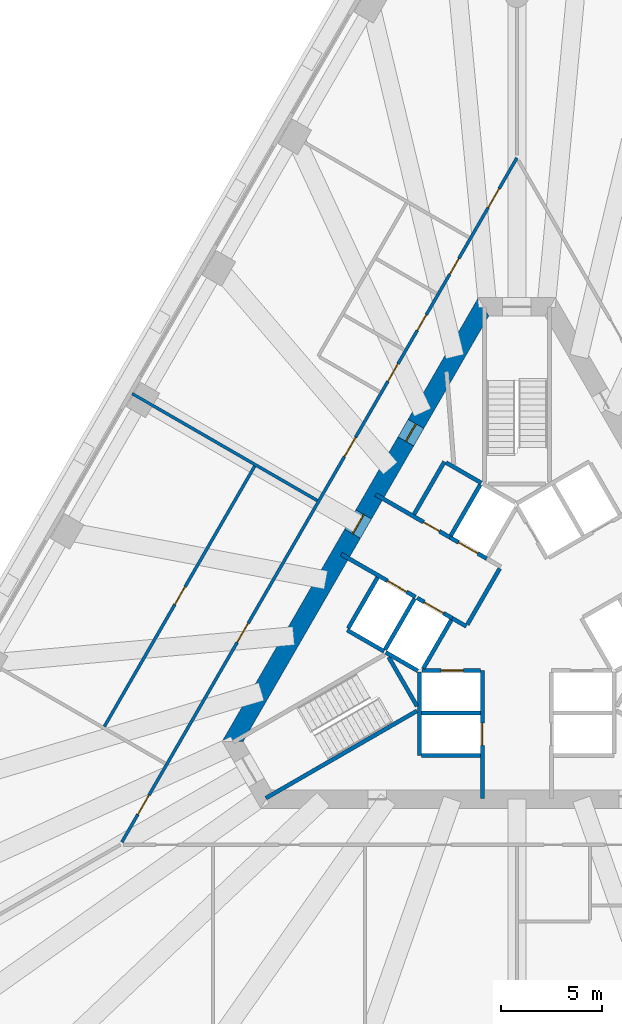
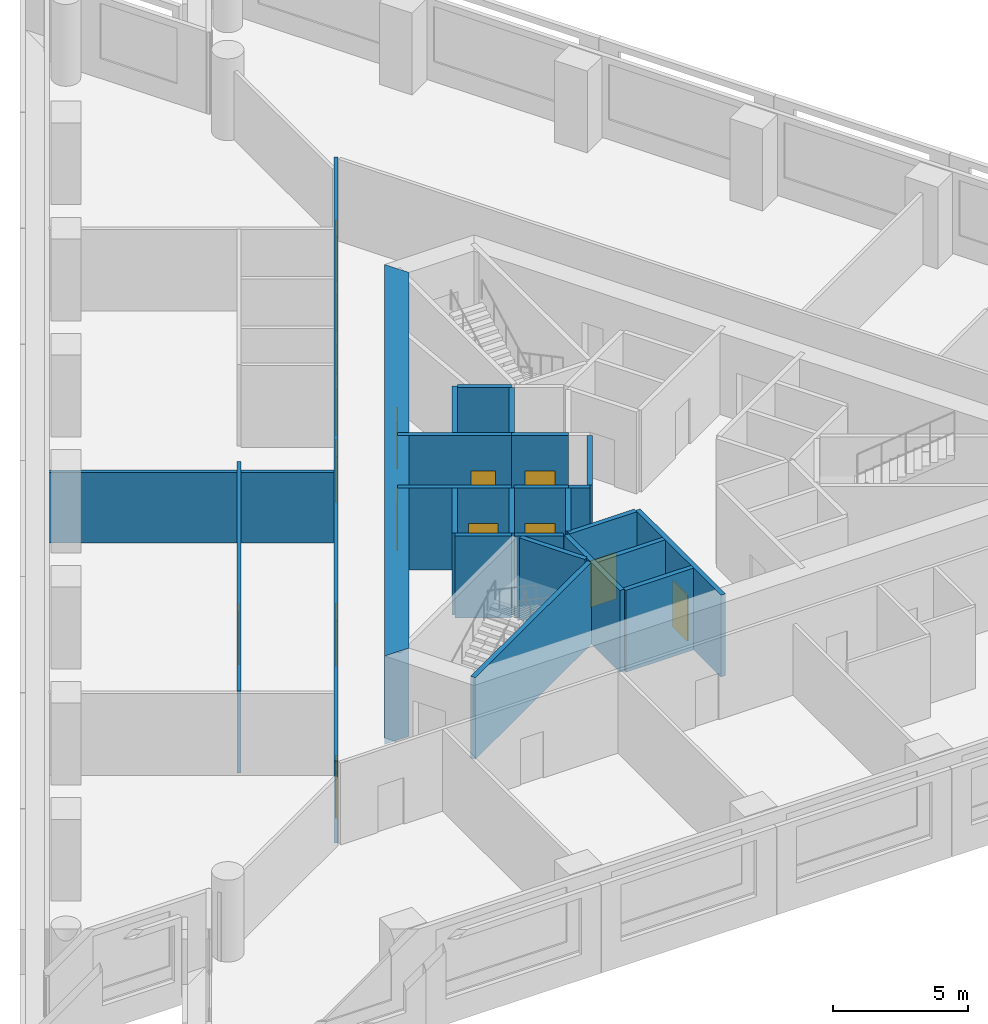
# One storey, part 3 of 9: 25 walls, 16 doors, 16 openings.
"""IFC4 building model written with IfcOpenShell, lengths in metres."""

from ifc_helpers import new_model, si_unit, direction, frame, frame_2d, origin, place, context, subcontext, project, spatial, polyline, rectangle, outline, extrude, material, layer, layer_set, type_object, element, fill, save


model = new_model("IFC4")

# Units and contexts
model_context = context("Model", 3, precision=1e-05, world=origin(), true_north=direction((0.0, 1.0)))
body_context = subcontext(model_context, "Body", "Model", "MODEL_VIEW")
ifc_project = project(units=[si_unit("LENGTHUNIT", "METRE"), si_unit("AREAUNIT", "SQUARE_METRE"), si_unit("VOLUMEUNIT", "CUBIC_METRE"), si_unit("PLANEANGLEUNIT", "RADIAN"), si_unit("MASSUNIT", "GRAM", prefix="KILO")], contexts=[model_context])

# Site, building, storey
site_placement = place(None, origin())
site = spatial("IfcSite", under=ifc_project, at=site_placement, CompositionType="ELEMENT")
building_placement = place(site_placement, origin())
building = spatial("IfcBuilding", under=site, at=building_placement, Name="Triada Interchange Tower", CompositionType="ELEMENT")
storey_placement = place(building_placement, frame((0.0, 0.0, 55.300048828125)))
storey = spatial("IfcBuildingStorey", under=building, at=storey_placement, Name="L11", CompositionType="ELEMENT", Elevation=55.300048828125)

# Walls
ifc_material_1 = material(Name="Concrete C30/37", Category="concrete")
ifc_layer_1 = layer(ifc_material_1, 0.199951171875)
ifc_layer_set_1 = layer_set([ifc_layer_1], Name="CORE WALL 200 EI 120")
wall_type_1 = type_object("IfcWallType", Name="CORE WALL 200 EI 120", PredefinedType="SOLIDWALL", material=ifc_layer_set_1)
wall_1_placement = place(storey_placement, frame((-8.3759765625, -0.70703125, 0.0), z_axis=(0.0, 0.0, 1.0), x_axis=(0.866067520717, -0.499927044236, 0.0)))
element("IfcWall", 1, at=wall_1_placement, inside=storey, type_object=wall_type_1, Name="Wall L09 37", PredefinedType="SOLIDWALL", context=body_context, shape_type="SweptSolid", body=[
    extrude(rectangle(XDim=2.100341796875, YDim=0.199951171875, at=frame_2d((1.05029296875, 0.0))), origin(), (0.0, 0.0, 1.0), 3.699951171875),
])
wall_2_placement = place(storey_placement, frame((-8.325927734375, -0.6201171875, 0.0), z_axis=(0.0, 0.0, 1.0), x_axis=(0.500023687443, 0.866011727401, 0.0)))
element("IfcWall", 2, at=wall_2_placement, inside=storey, type_object=wall_type_1, Name="Wall L09 38", PredefinedType="SOLIDWALL", context=body_context, shape_type="SweptSolid", body=[
    extrude(rectangle(XDim=2.899658203125, YDim=0.199951171875, at=frame_2d((1.44970703125, 0.0))), origin(), (0.0, 0.0, 1.0), 3.699951171875),
])
wall_3_placement = place(storey_placement, frame((-4.699951171875, -4.800048828125, 0.0), z_axis=(0.0, 0.0, 1.0), x_axis=(1.0, 0.0, 0.0)))
element("IfcWall", 3, at=wall_3_placement, inside=storey, type_object=wall_type_1, Name="Wall L09 39", PredefinedType="SOLIDWALL", context=body_context, shape_type="SweptSolid", body=[
    extrude(rectangle(XDim=2.89990234375, YDim=0.199951171875, at=frame_2d((1.449951171875, 0.0))), origin(), (0.0, 0.0, 1.0), 3.699951171875),
])
wall_4_placement = place(storey_placement, frame((-4.800048828125, -6.89990234375, 0.0), z_axis=(0.0, 0.0, 1.0), x_axis=(0.0, 1.0, 0.0)))
element("IfcWall", 4, at=wall_4_placement, inside=storey, type_object=wall_type_1, Name="Wall L09 41", PredefinedType="SOLIDWALL", context=body_context, shape_type="SweptSolid", body=[
    extrude(rectangle(XDim=4.130859375, YDim=0.199951171875, at=frame_2d((2.0654296875, 0.0))), origin(), (0.0, 0.0, 1.0), 3.699951171875),
])
wall_5_placement = place(storey_placement, frame((-4.699951171875, -6.89990234375, 0.0), z_axis=(0.0, 0.0, 1.0), x_axis=(1.0, 0.0, 0.0)))
element("IfcWall", 5, at=wall_5_placement, inside=storey, type_object=wall_type_1, Name="Wall L09 42", PredefinedType="SOLIDWALL", context=body_context, shape_type="SweptSolid", body=[
    extrude(rectangle(XDim=2.89990234375, YDim=0.199951171875, at=frame_2d((1.449951171875, 0.0))), origin(), (0.0, 0.0, 1.0), 3.699951171875),
])

# Wall, opening, door
wall_6_placement = place(storey_placement, frame((-1.699951171875, -9.030029296875, 0.0), z_axis=(0.0, 0.0, 1.0), x_axis=(0.0, 1.0, 0.0)))
wall_6 = element("IfcWall", 6, at=wall_6_placement, inside=storey, type_object=wall_type_1, Name="Wall L09 44", PredefinedType="SOLIDWALL", context=body_context, shape_type="SweptSolid", body=[
    extrude(rectangle(XDim=6.3271484375, YDim=0.199951171875, at=frame_2d((3.16357421875, 0.0))), origin(), (0.0, 0.0, 1.0), 3.699951171875),
])
opening_1_placement = place(wall_6_placement, frame((2.6298828125, 0.0, 0.0)))
opening_1 = element("IfcOpeningElement", 7, at=opening_1_placement, cuts=wall_6, Name="Opening LD-LR4", PredefinedType="OPENING", context=body_context, shape_type="SweptSolid", body=[
    extrude(rectangle(XDim=1.10009765625, YDim=2.10009765625, at=frame_2d((0.550048828125, 1.050048828125))), frame((0.0, 0.10986328125, 0.0), z_axis=(0.0, -1.0, 0.0), x_axis=(1.0, 0.0, 0.0)), (0.0, 0.0, 1.0), 0.219970703125),
])
ifc_material_2 = material(Name="Steel S235 door leaf", Category="steel")
door_type_1 = type_object("IfcDoorType", Name="LIFT LANDING DOOR 1100 EI 120", OperationType="SLIDING_TO_LEFT", PredefinedType="DOOR", material=ifc_material_2)
door_1_placement = place(opening_1_placement, origin())
door_1 = element("IfcDoor", 8, at=door_1_placement, inside=storey, type_object=door_type_1, Name="LR4 landing door L11", OperationType="SLIDING_TO_LEFT", OverallHeight=2.10009765625, OverallWidth=1.10009765625, PredefinedType="DOOR", context=body_context, shape_type="SweptSolid", body=[
    extrude(rectangle(XDim=1.10009765625, YDim=2.10009765625, at=frame_2d((0.550048828125, 1.050048828125))), frame((0.0, 0.02490234375, 0.0), z_axis=(0.0, -1.0, 0.0), x_axis=(1.0, 0.0, 0.0)), (0.0, 0.0, 1.0), 0.050048828125),
])
fill(opening_1, door_1)

wall_7_placement = place(storey_placement, frame((-4.676025390625, -2.699951171875, 0.0), z_axis=(0.0, 0.0, 1.0), x_axis=(1.0, 0.0, 0.0)))
wall_7 = element("IfcWall", 9, at=wall_7_placement, inside=storey, type_object=wall_type_1, Name="Wall L09 45", PredefinedType="SOLIDWALL", context=body_context, shape_type="SweptSolid", body=[
    extrude(rectangle(XDim=2.873046875, YDim=0.199951171875, at=frame_2d((1.4365234375, 0.0))), origin(), (0.0, 0.0, 1.0), 3.699951171875),
])
opening_2_placement = place(wall_7_placement, frame((0.93701171875, 0.0, 0.0)))
opening_2 = element("IfcOpeningElement", 10, at=opening_2_placement, cuts=wall_7, Name="Opening LD-LR3", PredefinedType="OPENING", context=body_context, shape_type="SweptSolid", body=[
    extrude(rectangle(XDim=1.10009765625, YDim=2.10009765625, at=frame_2d((0.550048828125, 1.050048828125))), frame((0.0, 0.10986328125, 0.0), z_axis=(0.0, -1.0, 0.0), x_axis=(1.0, 0.0, 0.0)), (0.0, 0.0, 1.0), 0.219970703125),
])
door_2_placement = place(opening_2_placement, origin())
door_2 = element("IfcDoor", 11, at=door_2_placement, inside=storey, type_object=door_type_1, Name="LR3 landing door L11", OperationType="SLIDING_TO_LEFT", OverallHeight=2.10009765625, OverallWidth=1.10009765625, PredefinedType="DOOR", context=body_context, shape_type="SweptSolid", body=[
    extrude(rectangle(XDim=1.10009765625, YDim=2.10009765625, at=frame_2d((0.550048828125, 1.050048828125))), frame((0.0, 0.02490234375, 0.0), z_axis=(0.0, -1.0, 0.0), x_axis=(1.0, 0.0, 0.0)), (0.0, 0.0, 1.0), 0.050048828125),
])
fill(opening_2, door_2)

ifc_layer_2 = layer(ifc_material_1, 0.199951171875)
ifc_layer_set_2 = layer_set([ifc_layer_2], Name="CORE WALL 200 EI 180")
wall_type_2 = type_object("IfcWallType", Name="CORE WALL 200 EI 180", PredefinedType="SOLIDWALL", material=ifc_layer_set_2)
wall_8_placement = place(storey_placement, frame((-8.669921875, 3.04296875, 0.0), z_axis=(0.0, 0.0, 1.0), x_axis=(0.866029956157, -0.499992114976, 0.0)))
wall_8 = element("IfcWall", 12, at=wall_8_placement, inside=storey, type_object=wall_type_2, Name="Wall L09 59", PredefinedType="SOLIDWALL", context=body_context, shape_type="SweptSolid", body=[
    extrude(rectangle(XDim=4.23193359375, YDim=0.199951171875, at=frame_2d((2.115966796875, 0.0))), origin(), (0.0, 0.0, 1.0), 3.699951171875),
])
opening_3_placement = place(wall_8_placement, frame((2.6298828125, 0.0, 0.0)))
opening_3 = element("IfcOpeningElement", 13, at=opening_3_placement, cuts=wall_8, Name="Opening LD-SV1", PredefinedType="OPENING", context=body_context, shape_type="SweptSolid", body=[
    extrude(rectangle(XDim=1.10009765625, YDim=2.10009765625, at=frame_2d((0.550048828125, 1.050048828125))), frame((0.0, 0.10986328125, 0.0), z_axis=(0.0, -1.0, 0.0), x_axis=(1.0, 0.0, 0.0)), (0.0, 0.0, 1.0), 0.219970703125),
])
door_3_placement = place(opening_3_placement, origin())
door_3 = element("IfcDoor", 14, at=door_3_placement, inside=storey, type_object=door_type_1, Name="SV1 landing door L11", OperationType="SLIDING_TO_LEFT", OverallHeight=2.10009765625, OverallWidth=1.10009765625, PredefinedType="DOOR", context=body_context, shape_type="SweptSolid", body=[
    extrude(rectangle(XDim=1.10009765625, YDim=2.10009765625, at=frame_2d((0.550048828125, 1.050048828125))), frame((0.0, 0.02490234375, 0.0), z_axis=(0.0, -1.0, 0.0), x_axis=(1.0, 0.0, 0.0)), (0.0, 0.0, 1.0), 0.050048828125),
])
fill(opening_3, door_3)

# Wall
wall_9_placement = place(storey_placement, frame((-3.18798828125, -0.1220703125, 0.0), z_axis=(0.0, 0.0, 1.0), x_axis=(0.865705793592, -0.50055317294, 0.0)))
element("IfcWall", 15, at=wall_9_placement, inside=storey, type_object=wall_type_2, Name="Wall L09 60", PredefinedType="SOLIDWALL", context=body_context, shape_type="SweptSolid", body=[
    extrude(rectangle(XDim=0.796875, YDim=0.199951171875, at=frame_2d((0.3984375, 0.0))), origin(), (0.0, 0.0, 1.0), 3.699951171875),
])

# Wall, opening, door
wall_10_placement = place(storey_placement, frame((-6.969970703125, 5.987060546875, 0.0), z_axis=(0.0, 0.0, 1.0), x_axis=(0.866029956157, -0.499992114976, 0.0)))
wall_10 = element("IfcWall", 16, at=wall_10_placement, inside=storey, type_object=wall_type_2, Name="Wall L09 61", PredefinedType="SOLIDWALL", context=body_context, shape_type="SweptSolid", body=[
    extrude(rectangle(XDim=4.23193359375, YDim=0.199951171875, at=frame_2d((2.115966796875, 0.0))), origin(), (0.0, 0.0, 1.0), 3.699951171875),
])
opening_4_placement = place(wall_10_placement, frame((2.72998046875, 0.0, 0.0)))
opening_4 = element("IfcOpeningElement", 17, at=opening_4_placement, cuts=wall_10, Name="Opening D09-10", PredefinedType="OPENING", context=body_context, shape_type="SweptSolid", body=[
    extrude(rectangle(XDim=0.89990234375, YDim=2.10009765625, at=frame_2d((0.449951171875, 1.050048828125))), frame((0.0, 0.10986328125, 0.0), z_axis=(0.0, -1.0, 0.0), x_axis=(1.0, 0.0, 0.0)), (0.0, 0.0, 1.0), 0.219970703125),
])
door_type_2 = type_object("IfcDoorType", Name="SERVICE DOOR 900 EI2 90-C5S200", OperationType="NOTDEFINED", PredefinedType="DOOR", material=ifc_material_2)
door_4_placement = place(opening_4_placement, origin())
door_4 = element("IfcDoor", 18, at=door_4_placement, inside=storey, type_object=door_type_2, Name="Door D09-10 L11", OperationType="SINGLE_SWING_LEFT", OverallHeight=2.10009765625, OverallWidth=0.89990234375, PredefinedType="DOOR", context=body_context, shape_type="SweptSolid", body=[
    extrude(rectangle(XDim=0.89990234375, YDim=2.10009765625, at=frame_2d((0.449951171875, 1.050048828125))), frame((0.0, 0.02490234375, 0.0), z_axis=(0.0, -1.0, 0.0), x_axis=(1.0, 0.0, 0.0)), (0.0, 0.0, 1.0), 0.050048828125),
])
fill(opening_4, door_4)

# Walls
wall_11_placement = place(storey_placement, frame((-5.075927734375, 5.009033203125, 0.0), z_axis=(0.0, 0.0, 1.0), x_axis=(0.50002537861, 0.866010750942, 0.0)))
element("IfcWall", 19, at=wall_11_placement, inside=storey, type_object=wall_type_2, Name="Wall L09 63", PredefinedType="SOLIDWALL", context=body_context, shape_type="SweptSolid", body=[
    extrude(rectangle(XDim=2.999755859375, YDim=0.199951171875, at=frame_2d((1.5, 0.0))), origin(), (0.0, 0.0, 1.0), 3.699951171875),
])
wall_12_placement = place(storey_placement, frame((-3.489013671875, 7.556884765625, 0.0), z_axis=(0.0, 0.0, 1.0), x_axis=(0.866010750942, -0.50002537861, 0.0)))
element("IfcWall", 20, at=wall_12_placement, inside=storey, type_object=wall_type_2, Name="Wall L09 64", PredefinedType="SOLIDWALL", context=body_context, shape_type="SweptSolid", body=[
    extrude(rectangle(XDim=2.0, YDim=0.199951171875, at=frame_2d((1.0, 0.0))), origin(), (0.0, 0.0, 1.0), 3.699951171875),
])
wall_13_placement = place(storey_placement, frame((-2.444091796875, -0.43310546875, 0.0), z_axis=(0.0, 0.0, 1.0), x_axis=(0.500035624827, 0.866004834804, 0.0)))
element("IfcWall", 21, at=wall_13_placement, inside=storey, type_object=wall_type_2, Name="Wall L09 65", PredefinedType="SOLIDWALL", context=body_context, shape_type="SweptSolid", body=[
    extrude(rectangle(XDim=3.194091796875, YDim=0.199951171875, at=frame_2d((1.59716796875, 0.0))), origin(), (0.0, 0.0, 1.0), 3.699951171875),
])
wall_14_placement = place(storey_placement, frame((-6.507080078125, -1.669921875, 0.0), z_axis=(0.0, 0.0, 1.0), x_axis=(0.50012328804, 0.865954211699, 0.0)))
element("IfcWall", 22, at=wall_14_placement, inside=storey, type_object=wall_type_2, Name="Shaft wall FF1 L09 66", PredefinedType="SOLIDWALL", context=body_context, shape_type="SweptSolid", body=[
    extrude(rectangle(XDim=2.899658203125, YDim=0.199951171875, at=frame_2d((1.44970703125, 0.0))), origin(), (0.0, 0.0, 1.0), 3.699951171875),
])
wall_15_placement = place(storey_placement, frame((-6.469970703125, -1.806884765625, 0.0), z_axis=(0.0, 0.0, 1.0), x_axis=(0.865883195159, -0.500246231712, 0.0)))
element("IfcWall", 23, at=wall_15_placement, inside=storey, type_object=wall_type_2, Name="Shaft wall FF1 L09 67", PredefinedType="SOLIDWALL", context=body_context, shape_type="SweptSolid", body=[
    extrude(rectangle(XDim=1.8154296875, YDim=0.199951171875, at=frame_2d((0.90771484375, 0.0))), origin(), (0.0, 0.0, 1.0), 3.699951171875),
])

# Wall, opening, door
wall_16_placement = place(storey_placement, frame((-4.922119140625, 0.87890625, 0.0), z_axis=(0.0, 0.0, 1.0), x_axis=(0.866073918653, -0.499915960366, 0.0)))
wall_16 = element("IfcWall", 24, at=wall_16_placement, inside=storey, type_object=wall_type_2, Name="Shaft wall FF1 L09 68", PredefinedType="SOLIDWALL", context=body_context, shape_type="SweptSolid", body=[
    extrude(rectangle(XDim=2.002197265625, YDim=0.199951171875, at=frame_2d((1.0009765625, 0.0))), origin(), (0.0, 0.0, 1.0), 3.699951171875),
])
opening_5_placement = place(wall_16_placement, frame((0.402099609375, 0.0, 0.0)))
opening_5 = element("IfcOpeningElement", 25, at=opening_5_placement, cuts=wall_16, Name="Opening LD-FF1", PredefinedType="OPENING", context=body_context, shape_type="SweptSolid", body=[
    extrude(rectangle(XDim=1.10009765625, YDim=2.10009765625, at=frame_2d((0.550048828125, 1.050048828125))), frame((0.0, 0.10986328125, 0.0), z_axis=(0.0, -1.0, 0.0), x_axis=(1.0, 0.0, 0.0)), (0.0, 0.0, 1.0), 0.219970703125),
])
door_5_placement = place(opening_5_placement, origin())
door_5 = element("IfcDoor", 26, at=door_5_placement, inside=storey, type_object=door_type_1, Name="FF1 landing door L11", OperationType="SLIDING_TO_LEFT", OverallHeight=2.10009765625, OverallWidth=1.10009765625, PredefinedType="DOOR", context=body_context, shape_type="SweptSolid", body=[
    extrude(rectangle(XDim=1.10009765625, YDim=2.10009765625, at=frame_2d((0.550048828125, 1.050048828125))), frame((0.0, 0.02490234375, 0.0), z_axis=(0.0, -1.0, 0.0), x_axis=(1.0, 0.0, 0.0)), (0.0, 0.0, 1.0), 0.050048828125),
])
fill(opening_5, door_5)

# Wall
wall_17_placement = place(storey_placement, frame((-4.618896484375, -2.60009765625, 0.0), z_axis=(0.0, 0.0, 1.0), x_axis=(0.50009492287, 0.865970593103, 0.0)))
element("IfcWall", 27, at=wall_17_placement, inside=storey, type_object=wall_type_2, Name="Shaft wall FF1 L09 69", PredefinedType="SOLIDWALL", context=body_context, shape_type="SweptSolid", body=[
    extrude(rectangle(XDim=2.76123046875, YDim=0.199951171875, at=frame_2d((1.380615234375, 0.0))), origin(), (0.0, 0.0, 1.0), 3.699951171875),
])

# Wall, opening, door
wall_18_placement = place(storey_placement, frame((-3.30908203125, 3.873046875, 0.0), z_axis=(0.0, 0.0, 1.0), x_axis=(0.866098583652, -0.499873227325, 0.0)))
wall_18 = element("IfcWall", 28, at=wall_18_placement, inside=storey, type_object=wall_type_2, Name="Shaft wall FF2 L09 70", PredefinedType="SOLIDWALL", context=body_context, shape_type="SweptSolid", body=[
    extrude(rectangle(XDim=2.1025390625, YDim=0.199951171875, at=frame_2d((1.05126953125, 0.0))), origin(), (0.0, 0.0, 1.0), 3.699951171875),
])
opening_6_placement = place(wall_18_placement, frame((0.501953125, 0.0, 0.0)))
opening_6 = element("IfcOpeningElement", 29, at=opening_6_placement, cuts=wall_18, Name="Opening LD-FF2", PredefinedType="OPENING", context=body_context, shape_type="SweptSolid", body=[
    extrude(rectangle(XDim=1.10009765625, YDim=2.10009765625, at=frame_2d((0.550048828125, 1.050048828125))), frame((0.0, 0.10986328125, 0.0), z_axis=(0.0, -1.0, 0.0), x_axis=(1.0, 0.0, 0.0)), (0.0, 0.0, 1.0), 0.219970703125),
])
door_6_placement = place(opening_6_placement, origin())
door_6 = element("IfcDoor", 30, at=door_6_placement, inside=storey, type_object=door_type_1, Name="FF2 landing door L11", OperationType="SLIDING_TO_LEFT", OverallHeight=2.10009765625, OverallWidth=1.10009765625, PredefinedType="DOOR", context=body_context, shape_type="SweptSolid", body=[
    extrude(rectangle(XDim=1.10009765625, YDim=2.10009765625, at=frame_2d((0.550048828125, 1.050048828125))), frame((0.0, 0.02490234375, 0.0), z_axis=(0.0, -1.0, 0.0), x_axis=(1.0, 0.0, 0.0)), (0.0, 0.0, 1.0), 0.050048828125),
])
fill(opening_6, door_6)

# Walls
wall_19_placement = place(storey_placement, frame((-3.257080078125, 3.958984375, 0.0), z_axis=(0.0, 0.0, 1.0), x_axis=(0.50012328804, 0.865954211699, 0.0)))
element("IfcWall", 31, at=wall_19_placement, inside=storey, type_object=wall_type_2, Name="Shaft wall FF2 L09 71", PredefinedType="SOLIDWALL", context=body_context, shape_type="SweptSolid", body=[
    extrude(rectangle(XDim=2.899658203125, YDim=0.199951171875, at=frame_2d((1.44970703125, 0.0))), origin(), (0.0, 0.0, 1.0), 3.699951171875),
])
ifc_layer_3 = layer(ifc_material_1, 0.199951171875)
ifc_layer_set_3 = layer_set([ifc_layer_3], Name="CORE WALL 200 REI 240")
wall_type_3 = type_object("IfcWallType", Name="CORE WALL 200 REI 240", PredefinedType="SOLIDWALL", material=ifc_layer_set_3)
wall_20_placement = place(storey_placement, frame((-6.3291015625, -2.0380859375, 0.0), z_axis=(0.0, 0.0, 1.0), x_axis=(0.500200581029, -0.865909567298, 0.0)))
element("IfcWall", 32, at=wall_20_placement, inside=storey, type_object=wall_type_3, Name="Wall L09 76", PredefinedType="SOLIDWALL", context=body_context, shape_type="SweptSolid", body=[
    extrude(rectangle(XDim=2.799072265625, YDim=0.199951171875, at=frame_2d((1.3994140625, 0.0))), origin(), (0.0, 0.0, 1.0), 3.699951171875),
])
wall_21_placement = place(storey_placement, frame((-12.389892578125, -9.0009765625, 0.0), z_axis=(0.0, 0.0, 1.0), x_axis=(0.866010975815, 0.500024989144, 0.0)))
element("IfcWall", 33, at=wall_21_placement, inside=storey, type_object=wall_type_3, Name="Wall L09 77", PredefinedType="SOLIDWALL", context=body_context, shape_type="SweptSolid", body=[
    extrude(rectangle(XDim=8.615234375, YDim=0.199951171875, at=frame_2d((4.3076171875, 0.0))), origin(), (0.0, 0.0, 1.0), 3.699951171875),
])

# Wall, openings, doors
ifc_material_3 = material(Name="Concrete C70/85", Category="concrete")
ifc_layer_4 = layer(ifc_material_3, 0.89990234375)
ifc_layer_set_4 = layer_set([ifc_layer_4], Name="Core wall A 900")
wall_type_4 = type_object("IfcWallType", Name="Core wall A 900", PredefinedType="SHEAR", material=ifc_layer_set_4)
wall_22_placement = place(storey_placement, frame((-1.64501953125, 15.25, -0.300048828125), z_axis=(0.0, 0.0, 1.0), x_axis=(-0.500026485275, -0.866010111964, 0.0)))
wall_22 = element("IfcWall", 34, at=wall_22_placement, inside=storey, type_object=wall_type_4, Name="Core wall WA02 L11", PredefinedType="SHEAR", context=body_context, shape_type="SweptSolid", body=[
    extrude(outline(polyline([(-0.260009765625, -0.449951171875), (1.685302734375, -0.449951171875), (3.63037109375, -0.44970703125), (5.57568359375, -0.44970703125), (7.52099609375, -0.44970703125), (9.466064453125, -0.449462890625), (11.411376953125, -0.449462890625), (13.356689453125, -0.449462890625), (15.302001953125, -0.449462890625), (17.2470703125, -0.44921875), (19.1923828125, -0.44921875), (21.1376953125, -0.44921875), (23.082763671875, -0.448974609375), (25.028076171875, -0.448974609375), (24.509033203125, 0.449951171875), (22.643798828125, 0.449951171875), (20.7783203125, 0.44970703125), (18.9130859375, 0.44970703125), (17.0478515625, 0.44970703125), (15.182373046875, 0.449462890625), (13.317138671875, 0.449462890625), (11.451904296875, 0.449462890625), (9.586669921875, 0.449462890625), (7.72119140625, 0.44921875), (5.85595703125, 0.44921875), (3.99072265625, 0.44921875), (2.125244140625, 0.448974609375), (0.260009765625, 0.448974609375), (-0.260009765625, -0.449951171875)])), origin(), (0.0, 0.0, 1.0), 4.0),
])
opening_7_placement = place(wall_22_placement, frame((11.833984375, 0.0, 0.300048828125)))
opening_7 = element("IfcOpeningElement", 35, at=opening_7_placement, cuts=wall_22, Name="Opening D09-39", PredefinedType="OPENING", context=body_context, shape_type="SweptSolid", body=[
    extrude(rectangle(XDim=1.10009765625, YDim=2.10009765625, at=frame_2d((0.550048828125, 1.050048828125))), frame((0.0, 0.4599609375, 0.0), z_axis=(0.0, -1.0, 0.0), x_axis=(1.0, 0.0, 0.0)), (0.0, 0.0, 1.0), 0.919921875),
])
opening_8_placement = place(wall_22_placement, frame((6.6708984375, 0.0, 0.300048828125)))
opening_8 = element("IfcOpeningElement", 36, at=opening_8_placement, cuts=wall_22, Name="Opening D09-42", PredefinedType="OPENING", context=body_context, shape_type="SweptSolid", body=[
    extrude(rectangle(XDim=1.0, YDim=2.10009765625, at=frame_2d((0.5, 1.050048828125))), frame((0.0, 0.4599609375, 0.0), z_axis=(0.0, -1.0, 0.0), x_axis=(1.0, 0.0, 0.0)), (0.0, 0.0, 1.0), 0.919921875),
])
door_type_3 = type_object("IfcDoorType", Name="FIRE LOBBY DOOR 1100 EI2 90-C5S200", OperationType="NOTDEFINED", PredefinedType="DOOR", material=ifc_material_2)
door_7_placement = place(opening_7_placement, origin())
door_7 = element("IfcDoor", 37, at=door_7_placement, inside=storey, type_object=door_type_3, Name="Door D09-39 L11", OperationType="SINGLE_SWING_LEFT", OverallHeight=2.10009765625, OverallWidth=1.10009765625, PredefinedType="DOOR", context=body_context, shape_type="SweptSolid", body=[
    extrude(rectangle(XDim=1.10009765625, YDim=2.10009765625, at=frame_2d((0.550048828125, 1.050048828125))), frame((0.0, 0.02490234375, 0.0), z_axis=(0.0, -1.0, 0.0), x_axis=(1.0, 0.0, 0.0)), (0.0, 0.0, 1.0), 0.050048828125),
])
fill(opening_7, door_7)
door_type_4 = type_object("IfcDoorType", Name="SERVICE DOOR 1000 EI2 45-C5S200", OperationType="NOTDEFINED", PredefinedType="DOOR", material=ifc_material_2)
door_8_placement = place(opening_8_placement, origin())
door_8 = element("IfcDoor", 38, at=door_8_placement, inside=storey, type_object=door_type_4, Name="Door D09-42 L11", OperationType="SINGLE_SWING_LEFT", OverallHeight=2.10009765625, OverallWidth=1.0, PredefinedType="DOOR", context=body_context, shape_type="SweptSolid", body=[
    extrude(rectangle(XDim=1.0, YDim=2.10009765625, at=frame_2d((0.5, 1.050048828125))), frame((0.0, 0.02490234375, 0.0), z_axis=(0.0, -1.0, 0.0), x_axis=(1.0, 0.0, 0.0)), (0.0, 0.0, 1.0), 0.050048828125),
])
fill(opening_8, door_8)

ifc_material_4 = material(Name="Gypsum board partition")
ifc_layer_5 = layer(ifc_material_4, 0.14990234375)
ifc_layer_set_5 = layer_set([ifc_layer_5], Name="PARTITION 150 EI 180")
wall_type_5 = type_object("IfcWallType", Name="PARTITION 150 EI 180", PredefinedType="PARTITIONING", material=ifc_layer_set_5)
wall_23_placement = place(storey_placement, frame((-19.4970703125, -11.169921875, 0.0), z_axis=(0.0, 0.0, 1.0), x_axis=(0.499998854553, 0.866026065108, 0.0)))
wall_23 = element("IfcWall", 39, at=wall_23_placement, inside=storey, type_object=wall_type_5, Name="Wall L09 4", PredefinedType="PARTITIONING", context=body_context, shape_type="SweptSolid", body=[
    extrude(rectangle(XDim=38.994140625, YDim=0.14990234375, at=frame_2d((19.4970703125, 0.0))), origin(), (0.0, 0.0, 1.0), 3.699951171875),
])
opening_9_placement = place(wall_23_placement, frame((36.14404296875, 0.0, 0.0)))
opening_9 = element("IfcOpeningElement", 40, at=opening_9_placement, cuts=wall_23, Name="Opening D09-27", PredefinedType="OPENING", context=body_context, shape_type="SweptSolid", body=[
    extrude(rectangle(XDim=1.10009765625, YDim=2.10009765625, at=frame_2d((0.550048828125, 1.050048828125))), frame((0.0, 0.0849609375, 0.0), z_axis=(0.0, -1.0, 0.0), x_axis=(1.0, 0.0, 0.0)), (0.0, 0.0, 1.0), 0.169921875),
])
opening_10_placement = place(wall_23_placement, frame((21.962890625, 0.0, 0.0)))
opening_10 = element("IfcOpeningElement", 41, at=opening_10_placement, cuts=wall_23, Name="Opening D09-28", PredefinedType="OPENING", context=body_context, shape_type="SweptSolid", body=[
    extrude(rectangle(XDim=1.10009765625, YDim=2.10009765625, at=frame_2d((0.550048828125, 1.050048828125))), frame((0.0, 0.0849609375, 0.0), z_axis=(0.0, -1.0, 0.0), x_axis=(1.0, 0.0, 0.0)), (0.0, 0.0, 1.0), 0.169921875),
])
opening_11_placement = place(wall_23_placement, frame((32.363037109375, 0.0, 0.0)))
opening_11 = element("IfcOpeningElement", 42, at=opening_11_placement, cuts=wall_23, Name="Opening D09-29", PredefinedType="OPENING", context=body_context, shape_type="SweptSolid", body=[
    extrude(rectangle(XDim=0.89990234375, YDim=2.10009765625, at=frame_2d((0.449951171875, 1.050048828125))), frame((0.0, 0.0849609375, 0.0), z_axis=(0.0, -1.0, 0.0), x_axis=(1.0, 0.0, 0.0)), (0.0, 0.0, 1.0), 0.169921875),
])
opening_12_placement = place(wall_23_placement, frame((29.1630859375, 0.0, 0.0)))
opening_12 = element("IfcOpeningElement", 43, at=opening_12_placement, cuts=wall_23, Name="Opening D09-30", PredefinedType="OPENING", context=body_context, shape_type="SweptSolid", body=[
    extrude(rectangle(XDim=0.89990234375, YDim=2.10009765625, at=frame_2d((0.449951171875, 1.050048828125))), frame((0.0, 0.0849609375, 0.0), z_axis=(0.0, -1.0, 0.0), x_axis=(1.0, 0.0, 0.0)), (0.0, 0.0, 1.0), 0.169921875),
])
opening_13_placement = place(wall_23_placement, frame((26.262939453125, 0.0, 0.0)))
opening_13 = element("IfcOpeningElement", 44, at=opening_13_placement, cuts=wall_23, Name="Opening D09-31", PredefinedType="OPENING", context=body_context, shape_type="SweptSolid", body=[
    extrude(rectangle(XDim=1.0, YDim=2.10009765625, at=frame_2d((0.5, 1.050048828125))), frame((0.0, 0.0849609375, 0.0), z_axis=(0.0, -1.0, 0.0), x_axis=(1.0, 0.0, 0.0)), (0.0, 0.0, 1.0), 0.169921875),
])
opening_14_placement = place(wall_23_placement, frame((11.373046875, 0.0, 0.0)))
opening_14 = element("IfcOpeningElement", 45, at=opening_14_placement, cuts=wall_23, Name="Opening D09-32", PredefinedType="OPENING", context=body_context, shape_type="SweptSolid", body=[
    extrude(rectangle(XDim=1.10009765625, YDim=2.10009765625, at=frame_2d((0.550048828125, 1.050048828125))), frame((0.0, 0.0849609375, 0.0), z_axis=(0.0, -1.0, 0.0), x_axis=(1.0, 0.0, 0.0)), (0.0, 0.0, 1.0), 0.169921875),
])
opening_15_placement = place(wall_23_placement, frame((1.5810546875, 0.0, 0.0)))
opening_15 = element("IfcOpeningElement", 46, at=opening_15_placement, cuts=wall_23, Name="Opening D09-34", PredefinedType="OPENING", context=body_context, shape_type="SweptSolid", body=[
    extrude(rectangle(XDim=1.10009765625, YDim=2.10009765625, at=frame_2d((0.550048828125, 1.050048828125))), frame((0.0, 0.0849609375, 0.0), z_axis=(0.0, -1.0, 0.0), x_axis=(1.0, 0.0, 0.0)), (0.0, 0.0, 1.0), 0.169921875),
])
door_type_5 = type_object("IfcDoorType", Name="ROOM DOOR 1000 EI2 90-C5S200", OperationType="NOTDEFINED", PredefinedType="DOOR", material=ifc_material_2)
door_9_placement = place(opening_13_placement, origin())
door_9 = element("IfcDoor", 47, at=door_9_placement, inside=storey, type_object=door_type_5, Name="Door D09-31 L11", OperationType="SINGLE_SWING_RIGHT", OverallHeight=2.10009765625, OverallWidth=1.0, PredefinedType="DOOR", context=body_context, shape_type="SweptSolid", body=[
    extrude(rectangle(XDim=1.0, YDim=2.10009765625, at=frame_2d((0.5, 1.050048828125))), frame((0.0, 0.02490234375, 0.0), z_axis=(0.0, -1.0, 0.0), x_axis=(1.0, 0.0, 0.0)), (0.0, 0.0, 1.0), 0.050048828125),
])
fill(opening_13, door_9)
door_type_6 = type_object("IfcDoorType", Name="ROOM DOOR 900 EI2 90-C5S200", OperationType="NOTDEFINED", PredefinedType="DOOR", material=ifc_material_2)
door_10_placement = place(opening_11_placement, origin())
door_10 = element("IfcDoor", 48, at=door_10_placement, inside=storey, type_object=door_type_6, Name="Door D09-29 L11", OperationType="SINGLE_SWING_RIGHT", OverallHeight=2.10009765625, OverallWidth=0.89990234375, PredefinedType="DOOR", context=body_context, shape_type="SweptSolid", body=[
    extrude(rectangle(XDim=0.89990234375, YDim=2.10009765625, at=frame_2d((0.449951171875, 1.050048828125))), frame((0.0, 0.02490234375, 0.0), z_axis=(0.0, -1.0, 0.0), x_axis=(1.0, 0.0, 0.0)), (0.0, 0.0, 1.0), 0.050048828125),
])
fill(opening_11, door_10)
door_11_placement = place(opening_12_placement, origin())
door_11 = element("IfcDoor", 49, at=door_11_placement, inside=storey, type_object=door_type_6, Name="Door D09-30 L11", OperationType="SINGLE_SWING_LEFT", OverallHeight=2.10009765625, OverallWidth=0.89990234375, PredefinedType="DOOR", context=body_context, shape_type="SweptSolid", body=[
    extrude(rectangle(XDim=0.89990234375, YDim=2.10009765625, at=frame_2d((0.449951171875, 1.050048828125))), frame((0.0, 0.02490234375, 0.0), z_axis=(0.0, -1.0, 0.0), x_axis=(1.0, 0.0, 0.0)), (0.0, 0.0, 1.0), 0.050048828125),
])
fill(opening_12, door_11)
door_type_7 = type_object("IfcDoorType", Name="TENANCY ENTRANCE DOOR 1100 EI2 90-C5S200", OperationType="NOTDEFINED", PredefinedType="DOOR", material=ifc_material_2)
door_12_placement = place(opening_9_placement, origin())
door_12 = element("IfcDoor", 50, at=door_12_placement, inside=storey, type_object=door_type_7, Name="Door D09-27 L11", OperationType="SINGLE_SWING_RIGHT", OverallHeight=2.10009765625, OverallWidth=1.10009765625, PredefinedType="DOOR", context=body_context, shape_type="SweptSolid", body=[
    extrude(rectangle(XDim=1.10009765625, YDim=2.10009765625, at=frame_2d((0.550048828125, 1.050048828125))), frame((0.0, 0.02490234375, 0.0), z_axis=(0.0, -1.0, 0.0), x_axis=(1.0, 0.0, 0.0)), (0.0, 0.0, 1.0), 0.050048828125),
])
fill(opening_9, door_12)
door_13_placement = place(opening_10_placement, origin())
door_13 = element("IfcDoor", 51, at=door_13_placement, inside=storey, type_object=door_type_7, Name="Door D09-28 L11", OperationType="SINGLE_SWING_RIGHT", OverallHeight=2.10009765625, OverallWidth=1.10009765625, PredefinedType="DOOR", context=body_context, shape_type="SweptSolid", body=[
    extrude(rectangle(XDim=1.10009765625, YDim=2.10009765625, at=frame_2d((0.550048828125, 1.050048828125))), frame((0.0, 0.02490234375, 0.0), z_axis=(0.0, -1.0, 0.0), x_axis=(1.0, 0.0, 0.0)), (0.0, 0.0, 1.0), 0.050048828125),
])
fill(opening_10, door_13)
door_14_placement = place(opening_14_placement, origin())
door_14 = element("IfcDoor", 52, at=door_14_placement, inside=storey, type_object=door_type_7, Name="Door D09-32 L11", OperationType="SINGLE_SWING_RIGHT", OverallHeight=2.10009765625, OverallWidth=1.10009765625, PredefinedType="DOOR", context=body_context, shape_type="SweptSolid", body=[
    extrude(rectangle(XDim=1.10009765625, YDim=2.10009765625, at=frame_2d((0.550048828125, 1.050048828125))), frame((0.0, 0.02490234375, 0.0), z_axis=(0.0, -1.0, 0.0), x_axis=(1.0, 0.0, 0.0)), (0.0, 0.0, 1.0), 0.050048828125),
])
fill(opening_14, door_14)
door_15_placement = place(opening_15_placement, origin())
door_15 = element("IfcDoor", 53, at=door_15_placement, inside=storey, type_object=door_type_7, Name="Door D09-34 L11", OperationType="SINGLE_SWING_LEFT", OverallHeight=2.10009765625, OverallWidth=1.10009765625, PredefinedType="DOOR", context=body_context, shape_type="SweptSolid", body=[
    extrude(rectangle(XDim=1.10009765625, YDim=2.10009765625, at=frame_2d((0.550048828125, 1.050048828125))), frame((0.0, 0.02490234375, 0.0), z_axis=(0.0, -1.0, 0.0), x_axis=(1.0, 0.0, 0.0)), (0.0, 0.0, 1.0), 0.050048828125),
])
fill(opening_15, door_15)

# Wall
wall_24_placement = place(storey_placement, frame((-18.989013671875, 10.964111328125, 0.0), z_axis=(0.0, 0.0, 1.0), x_axis=(0.866011810196, -0.500023544047, 0.0)))
element("IfcWall", 54, at=wall_24_placement, inside=storey, type_object=wall_type_5, Name="Wall L09 6", PredefinedType="PARTITIONING", context=body_context, shape_type="SweptSolid", body=[
    extrude(rectangle(XDim=10.5517578125, YDim=0.14990234375, at=frame_2d((5.27587890625, 0.0))), origin(), (0.0, 0.0, 1.0), 3.199951171875),
])

# Wall, opening, door
ifc_layer_6 = layer(ifc_material_4, 0.14990234375)
ifc_layer_set_6 = layer_set([ifc_layer_6], Name="PARTITION 150 EI 90")
wall_type_6 = type_object("IfcWallType", Name="PARTITION 150 EI 90", PredefinedType="PARTITIONING", material=ifc_layer_set_6)
wall_25_placement = place(storey_placement, frame((-20.362060546875, -5.468017578125, 0.0), z_axis=(0.0, 0.0, 1.0), x_axis=(0.49999393442, 0.866028905721, 0.0)))
wall_25 = element("IfcWall", 55, at=wall_25_placement, inside=storey, type_object=wall_type_6, Name="Wall L09 28", PredefinedType="PARTITIONING", context=body_context, shape_type="SweptSolid", body=[
    extrude(rectangle(XDim=14.842529296875, YDim=0.14990234375, at=frame_2d((7.42138671875, 0.0))), origin(), (0.0, 0.0, 1.0), 3.699951171875),
])
opening_16_placement = place(wall_25_placement, frame((6.967041015625, 0.0, 0.0)))
opening_16 = element("IfcOpeningElement", 56, at=opening_16_placement, cuts=wall_25, Name="Opening D09-33", PredefinedType="OPENING", context=body_context, shape_type="SweptSolid", body=[
    extrude(rectangle(XDim=1.0, YDim=2.10009765625, at=frame_2d((0.5, 1.050048828125))), frame((0.0, 0.0849609375, 0.0), z_axis=(0.0, -1.0, 0.0), x_axis=(1.0, 0.0, 0.0)), (0.0, 0.0, 1.0), 0.169921875),
])
door_type_8 = type_object("IfcDoorType", Name="ROOM DOOR 1000 EI2 45-C5S200", OperationType="NOTDEFINED", PredefinedType="DOOR", material=ifc_material_2)
door_16_placement = place(opening_16_placement, origin())
door_16 = element("IfcDoor", 57, at=door_16_placement, inside=storey, type_object=door_type_8, Name="Door D09-33 L11", OperationType="SINGLE_SWING_LEFT", OverallHeight=2.10009765625, OverallWidth=1.0, PredefinedType="DOOR", context=body_context, shape_type="SweptSolid", body=[
    extrude(rectangle(XDim=1.0, YDim=2.10009765625, at=frame_2d((0.5, 1.050048828125))), frame((0.0, 0.02490234375, 0.0), z_axis=(0.0, -1.0, 0.0), x_axis=(1.0, 0.0, 0.0)), (0.0, 0.0, 1.0), 0.050048828125),
])
fill(opening_16, door_16)

save(model, "model.ifc")
